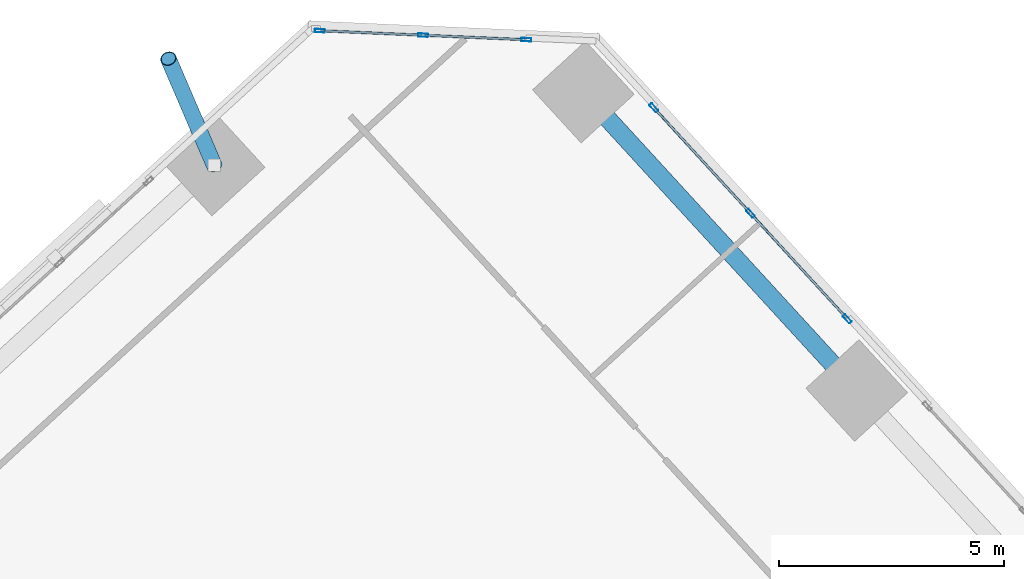
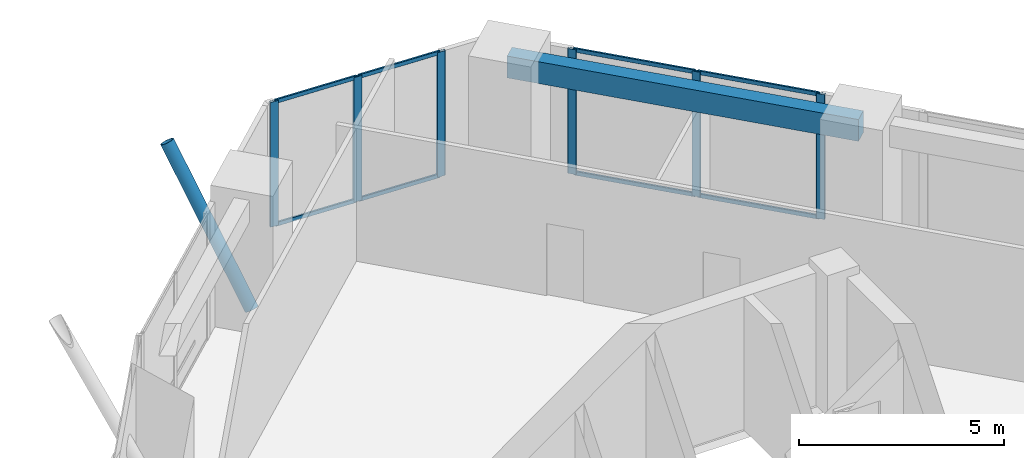
# One storey, part 9 of 16: 15 members, 1 beam, 2 elements without a shape of their own.
"""IFC4 building model written with IfcOpenShell, lengths in metres."""

from ifc_helpers import new_model, si_unit, direction, frame, origin, origin_2d, place, context, subcontext, project, spatial, rectangle, hollow_rectangle, hollow_circle, extrude, source, transform, mapped, material, material_profile, profile_set, type_object, element, aggregate, save


model = new_model("IFC4")

# Units and contexts
model_context = context("Model", 3, precision=1e-05, world=origin(), true_north=direction((0.0, 1.0)))
body_context = subcontext(model_context, "Body", "Model", "MODEL_VIEW")
ifc_project = project(units=[si_unit("LENGTHUNIT", "METRE"), si_unit("AREAUNIT", "SQUARE_METRE"), si_unit("VOLUMEUNIT", "CUBIC_METRE"), si_unit("PLANEANGLEUNIT", "RADIAN"), si_unit("MASSUNIT", "GRAM", prefix="KILO")], contexts=[model_context])

# Site, building, storey
site_placement = place(None, origin())
site = spatial("IfcSite", under=ifc_project, at=site_placement, CompositionType="ELEMENT")
building_placement = place(site_placement, origin())
building = spatial("IfcBuilding", under=site, at=building_placement, Name="Torre Montelarca", CompositionType="ELEMENT")
storey_placement = place(building_placement, frame((0.0, 0.0, 262.60009765625)))
storey = spatial("IfcBuildingStorey", under=building, at=storey_placement, Name="L59", CompositionType="ELEMENT", Elevation=262.60009765625)

# Member
ifc_material_1 = material(Name="Steel ASTM A500 Grade C", Category="steel")
ifc_material_profile_1 = material_profile(ifc_material_1, hollow_circle(Radius=0.177734375, WallThickness=0.015869140625, at=origin_2d()), Name="HSS355.6X15.9", Category="steel")
ifc_profile_set_1 = profile_set([ifc_material_profile_1], Name="Steel ASTM A500 Grade C")
member_type_1 = type_object("IfcMemberType", Name="MB-BR-CHS356-EXT", PredefinedType="BRACE", material=ifc_profile_set_1)
shared_shape_1 = source(origin(), body_context, "Body", "SweptSolid", [
    extrude(hollow_circle(Radius=0.177734375, WallThickness=0.015869140625, at=origin_2d()), origin(), (0.0, 0.0, 1.0), 4.682373046875),
])
member_1_placement = place(storey_placement, frame((16.014404296875, 49.827880859375, 0.14990234375), z_axis=(-0.217162887639, 0.50554894563, 0.835021283444), x_axis=(-0.918816309849, -0.394685430128, 0.0)))
element("IfcMember", 1, at=member_1_placement, inside=storey, type_object=member_type_1, Name="L60 Sliding Tray Exterior Diagonal Raker Strut W3", PredefinedType="BRACE", context=body_context, shape_type="MappedRepresentation", body=[
    mapped(shared_shape_1, transform((0.0, 0.0, 0.0), scale=1.0)),
])

# Beam
ifc_material_2 = material(Name="Concrete C40/50", Category="concrete")
ifc_material_profile_2 = material_profile(ifc_material_2, rectangle(XDim=0.39990234375, YDim=0.64990234375, at=origin_2d()), Name="RCB400X650", Category="concrete")
ifc_profile_set_2 = profile_set([ifc_material_profile_2], Name="Concrete C40/50")
beam_type = type_object("IfcBeamType", Name="BM-SP-RC650-EXT", PredefinedType="SPANDREL", material=ifc_profile_set_2)
shared_shape_2 = source(origin(), body_context, "Body", "SweptSolid", [
    extrude(rectangle(XDim=0.39990234375, YDim=0.64990234375, at=origin_2d()), origin(), (0.0, 0.0, 1.0), 9.0),
])
beam_placement = place(storey_placement, frame((24.224853515625, 51.451171875, 3.635009765625), z_axis=(0.675590724023, -0.73727686361, 0.0), x_axis=(0.73727686361, 0.675590724023, 0.0)))
element("IfcBeam", 2, at=beam_placement, inside=storey, type_object=beam_type, Name="L59 Grid Girder X 9.0-18.0 at Y=47.1", PredefinedType="SPANDREL", context=body_context, shape_type="MappedRepresentation", body=[
    mapped(shared_shape_2, transform((0.0, 0.0, 0.0), scale=1.0)),
])

# Curtain wall, members
ifc_material_3 = material(Name="Insulated low-E laminated glass", Category="glass")
curtain_wall_type = type_object("IfcCurtainWallType", Name="CW-SYS-Z3", PredefinedType="USERDEFINED", material=ifc_material_3)
curtain_wall_1_placement = place(storey_placement, origin())
curtain_wall_1 = element("IfcCurtainWall", 3, at=curtain_wall_1_placement, inside=storey, type_object=curtain_wall_type, Name="L59 Curtain Wall Run CW-T3-L59-E08-B4", ObjectType="UNITISED GLAZING", PredefinedType="USERDEFINED")
ifc_material_4 = material(Name="Anodised aluminium AA 6063-T6", Category="aluminium")
ifc_material_profile_3 = material_profile(ifc_material_4, hollow_rectangle(XDim=0.074951171875, YDim=0.219970703125, WallThickness=0.0048828125, InnerFilletRadius=0.0048828125, OuterFilletRadius=0.010009765625, at=origin_2d()), Name="ALU75X220X5", Category="aluminium")
ifc_profile_set_3 = profile_set([ifc_material_profile_3], Name="Anodised aluminium AA 6063-T6")
member_type_2 = type_object("IfcMemberType", Name="CWM-ALU220", PredefinedType="MULLION", material=ifc_profile_set_3)
shared_shape_3 = source(origin(), body_context, "Body", "SweptSolid", [
    extrude(hollow_rectangle(XDim=0.074951171875, YDim=0.219970703125, WallThickness=0.0048828125, InnerFilletRadius=0.0048828125, OuterFilletRadius=0.010009765625, at=origin_2d()), origin(), (0.0, 0.0, 1.0), 3.719970703125),
])
member_2_placement = place(storey_placement, frame((30.09326171875, 46.408447265625, 0.0), z_axis=(0.0, 0.0, 1.0), x_axis=(-0.737279815472, -0.675587502621, 0.0)))
member_2 = element("IfcMember", 4, at=member_2_placement, type_object=member_type_2, Name="CW mullion 1", PredefinedType="MULLION", context=body_context, shape_type="MappedRepresentation", body=[
    mapped(shared_shape_3, transform((0.0, 0.0, 0.0), scale=1.0)),
])
member_3_placement = place(storey_placement, frame((27.943359375, 48.7548828125, 0.0), z_axis=(0.0, 0.0, 1.0), x_axis=(-0.737279815472, -0.675587502621, 0.0)))
member_3 = element("IfcMember", 5, at=member_3_placement, type_object=member_type_2, Name="CW mullion 2", PredefinedType="MULLION", context=body_context, shape_type="MappedRepresentation", body=[
    mapped(shared_shape_3, transform((0.0, 0.0, 0.0), scale=1.0)),
])
member_4_placement = place(storey_placement, frame((25.793212890625, 51.101318359375, 0.0), z_axis=(0.0, 0.0, 1.0), x_axis=(-0.737279815472, -0.675587502621, 0.0)))
member_4 = element("IfcMember", 6, at=member_4_placement, type_object=member_type_2, Name="CW mullion 3", PredefinedType="MULLION", context=body_context, shape_type="MappedRepresentation", body=[
    mapped(shared_shape_3, transform((0.0, 0.0, 0.0), scale=1.0)),
])

curtain_wall_2_placement = place(storey_placement, origin())
curtain_wall_2 = element("IfcCurtainWall", 7, at=curtain_wall_2_placement, inside=storey, type_object=curtain_wall_type, Name="L59 Curtain Wall Run CW-T3-L59-E09-B1", ObjectType="UNITISED GLAZING", PredefinedType="USERDEFINED")
member_5_placement = place(storey_placement, frame((22.95703125, 52.614990234375, 0.0), z_axis=(0.0, 0.0, 1.0), x_axis=(-0.043612828662, -0.999048507919, 0.0)))
member_5 = element("IfcMember", 8, at=member_5_placement, type_object=member_type_2, Name="CW mullion 1", PredefinedType="MULLION", context=body_context, shape_type="MappedRepresentation", body=[
    mapped(shared_shape_3, transform((0.0, 0.0, 0.0), scale=1.0)),
])
member_6_placement = place(storey_placement, frame((20.661376953125, 52.71533203125, 0.0), z_axis=(0.0, 0.0, 1.0), x_axis=(-0.043612828662, -0.999048507919, 0.0)))
member_6 = element("IfcMember", 9, at=member_6_placement, type_object=member_type_2, Name="CW mullion 2", PredefinedType="MULLION", context=body_context, shape_type="MappedRepresentation", body=[
    mapped(shared_shape_3, transform((0.0, 0.0, 0.0), scale=1.0)),
])
member_7_placement = place(storey_placement, frame((18.36572265625, 52.8154296875, 0.0), z_axis=(0.0, 0.0, 1.0), x_axis=(-0.043612828662, -0.999048507919, 0.0)))
member_7 = element("IfcMember", 10, at=member_7_placement, type_object=member_type_2, Name="CW mullion 3", PredefinedType="MULLION", context=body_context, shape_type="MappedRepresentation", body=[
    mapped(shared_shape_3, transform((0.0, 0.0, 0.0), scale=1.0)),
])

# Member
ifc_material_profile_4 = material_profile(ifc_material_4, hollow_rectangle(XDim=0.054931640625, YDim=0.1201171875, WallThickness=0.00341796875, InnerFilletRadius=0.00341796875, OuterFilletRadius=0.007080078125, at=origin_2d()), Name="ALU55X120X3.5", Category="aluminium")
ifc_profile_set_4 = profile_set([ifc_material_profile_4], Name="Anodised aluminium AA 6063-T6")
member_type_3 = type_object("IfcMemberType", Name="CWT-ALU120", PredefinedType="USERDEFINED", material=ifc_profile_set_4)
shared_shape_4 = source(origin(), body_context, "Body", "SweptSolid", [
    extrude(hollow_rectangle(XDim=0.054931640625, YDim=0.1201171875, WallThickness=0.00341796875, InnerFilletRadius=0.00341796875, OuterFilletRadius=0.007080078125, at=origin_2d()), origin(), (0.0, 0.0, 1.0), 3.107421875),
])
member_8_placement = place(storey_placement, frame((30.068115234375, 46.436279296875, 0.02734375), z_axis=(-0.675596539491, 0.737271534665, 0.0), x_axis=(-0.737271534665, -0.675596539491, 0.0)))
member_8 = element("IfcMember", 11, at=member_8_placement, type_object=member_type_3, Name="CW transom 1.1", ObjectType="TRANSOM", PredefinedType="USERDEFINED", context=body_context, shape_type="MappedRepresentation", body=[
    mapped(shared_shape_4, transform((0.0, 0.0, 0.0), scale=1.0)),
])

member_9_placement = place(storey_placement, frame((30.068115234375, 46.436279296875, 3.6923828125), z_axis=(-0.675596539491, 0.737271534665, 0.0), x_axis=(-0.737271534665, -0.675596539491, 0.0)))
member_9 = element("IfcMember", 12, at=member_9_placement, type_object=member_type_3, Name="CW transom 1.2", ObjectType="TRANSOM", PredefinedType="USERDEFINED", context=body_context, shape_type="MappedRepresentation", body=[
    mapped(shared_shape_4, transform((0.0, 0.0, 0.0), scale=1.0)),
])

member_10_placement = place(storey_placement, frame((27.91796875, 48.78271484375, 0.02734375), z_axis=(-0.675596539491, 0.737271534665, 0.0), x_axis=(-0.737271534665, -0.675596539491, 0.0)))
member_10 = element("IfcMember", 13, at=member_10_placement, type_object=member_type_3, Name="CW transom 2.1", ObjectType="TRANSOM", PredefinedType="USERDEFINED", context=body_context, shape_type="MappedRepresentation", body=[
    mapped(shared_shape_4, transform((0.0, 0.0, 0.0), scale=1.0)),
])

member_11_placement = place(storey_placement, frame((27.91796875, 48.78271484375, 3.6923828125), z_axis=(-0.675596539491, 0.737271534665, 0.0), x_axis=(-0.737271534665, -0.675596539491, 0.0)))
member_11 = element("IfcMember", 14, at=member_11_placement, type_object=member_type_3, Name="CW transom 2.2", ObjectType="TRANSOM", PredefinedType="USERDEFINED", context=body_context, shape_type="MappedRepresentation", body=[
    mapped(shared_shape_4, transform((0.0, 0.0, 0.0), scale=1.0)),
])

aggregate(curtain_wall_1, [member_2, member_3, member_4, member_8, member_9, member_10, member_11])

shared_shape_5 = source(origin(), body_context, "Body", "SweptSolid", [
    extrude(hollow_rectangle(XDim=0.054931640625, YDim=0.1201171875, WallThickness=0.00341796875, InnerFilletRadius=0.00341796875, OuterFilletRadius=0.007080078125, at=origin_2d()), origin(), (0.0, 0.0, 1.0), 2.222900390625),
])
member_12_placement = place(storey_placement, frame((22.91943359375, 52.61669921875, 0.02734375), z_axis=(-0.999048891247, 0.043604046815, 0.0), x_axis=(-0.043604046815, -0.999048891247, 0.0)))
member_12 = element("IfcMember", 15, at=member_12_placement, type_object=member_type_3, Name="CW transom 1.1", ObjectType="TRANSOM", PredefinedType="USERDEFINED", context=body_context, shape_type="MappedRepresentation", body=[
    mapped(shared_shape_5, transform((0.0, 0.0, 0.0), scale=1.0)),
])

member_13_placement = place(storey_placement, frame((22.91943359375, 52.61669921875, 3.6923828125), z_axis=(-0.999048891247, 0.043604046815, 0.0), x_axis=(-0.043604046815, -0.999048891247, 0.0)))
member_13 = element("IfcMember", 16, at=member_13_placement, type_object=member_type_3, Name="CW transom 1.2", ObjectType="TRANSOM", PredefinedType="USERDEFINED", context=body_context, shape_type="MappedRepresentation", body=[
    mapped(shared_shape_5, transform((0.0, 0.0, 0.0), scale=1.0)),
])

member_14_placement = place(storey_placement, frame((20.623779296875, 52.716796875, 0.02734375), z_axis=(-0.999048891247, 0.043604046815, 0.0), x_axis=(-0.043604046815, -0.999048891247, 0.0)))
member_14 = element("IfcMember", 17, at=member_14_placement, type_object=member_type_3, Name="CW transom 2.1", ObjectType="TRANSOM", PredefinedType="USERDEFINED", context=body_context, shape_type="MappedRepresentation", body=[
    mapped(shared_shape_5, transform((0.0, 0.0, 0.0), scale=1.0)),
])

member_15_placement = place(storey_placement, frame((20.623779296875, 52.716796875, 3.6923828125), z_axis=(-0.999048891247, 0.043604046815, 0.0), x_axis=(-0.043604046815, -0.999048891247, 0.0)))
member_15 = element("IfcMember", 18, at=member_15_placement, type_object=member_type_3, Name="CW transom 2.2", ObjectType="TRANSOM", PredefinedType="USERDEFINED", context=body_context, shape_type="MappedRepresentation", body=[
    mapped(shared_shape_5, transform((0.0, 0.0, 0.0), scale=1.0)),
])

aggregate(curtain_wall_2, [member_5, member_6, member_7, member_12, member_13, member_14, member_15])

save(model, "model.ifc")
